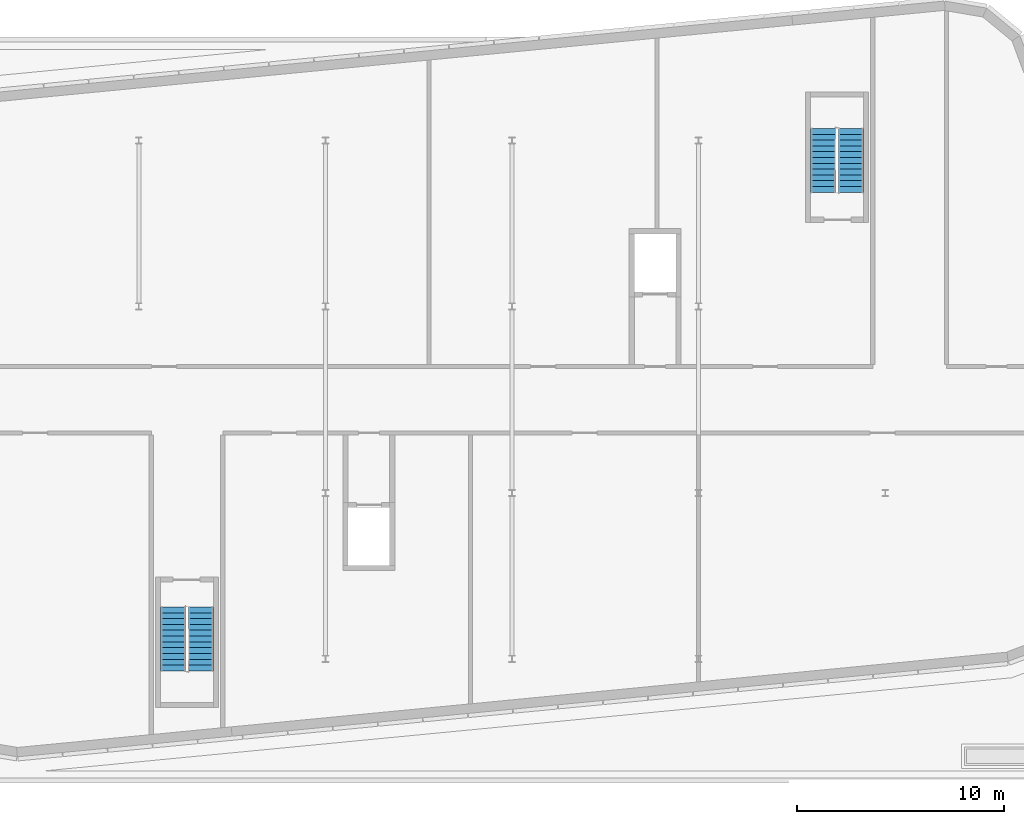
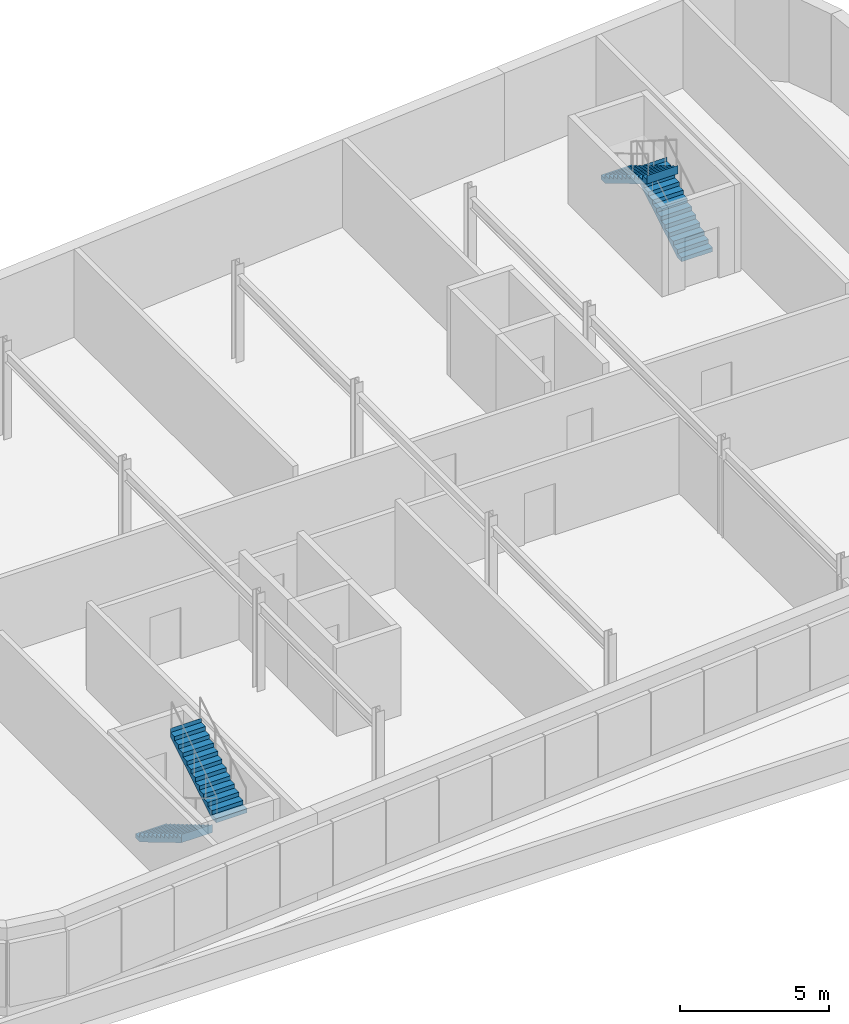
# One storey, part 5 of 7: 4 stair flights, 2 elements without a shape of their own.
"""IFC4 building model written with IfcOpenShell, lengths in metres."""

from ifc_helpers import new_model, si_unit, direction, frame, origin, place, context, subcontext, project, spatial, faceted_brep, material, type_object, element, aggregate, save


model = new_model("IFC4")

# Units and contexts
model_context = context("Model", 3, precision=1e-05, world=origin(), true_north=direction((0.0, 1.0)))
body_context = subcontext(model_context, "Body", "Model", "MODEL_VIEW")
ifc_project = project(units=[si_unit("LENGTHUNIT", "METRE"), si_unit("AREAUNIT", "SQUARE_METRE"), si_unit("VOLUMEUNIT", "CUBIC_METRE"), si_unit("PLANEANGLEUNIT", "RADIAN"), si_unit("MASSUNIT", "GRAM", prefix="KILO")], contexts=[model_context])

# Site, building, storey
site_placement = place(None, origin())
site = spatial("IfcSite", under=ifc_project, at=site_placement, CompositionType="ELEMENT")
building_placement = place(site_placement, origin())
building = spatial("IfcBuilding", under=site, at=building_placement, Name="Kajstack Hotel Tower", CompositionType="ELEMENT")
storey_placement = place(building_placement, frame((0.0, 0.0, 317.800048828125)))
storey = spatial("IfcBuildingStorey", under=building, at=storey_placement, Name="L80", CompositionType="ELEMENT", Elevation=317.800048828125)

# Stair, stair flights
ifc_material = material(Name="Concrete C40/50", Category="concrete")
stair_type = type_object("IfcStairType", Name="Exit stair 1200", PredefinedType="HALF_TURN_STAIR", material=ifc_material)
stair_1_placement = place(storey_placement, origin())
stair_1 = element("IfcStair", 1, at=stair_1_placement, inside=storey, type_object=stair_type, Name="L80 stair W2", PredefinedType="HALF_TURN_STAIR")
stair_flight_type = type_object("IfcStairFlightType", Name="Exit stair flight 1200", PredefinedType="STRAIGHT", material=ifc_material)
stair_flight_1_placement = place(storey_placement, frame((-16.35009765625, -10.0, 0.0), z_axis=(0.0, 0.0, 1.0), x_axis=(0.0, -1.0, 0.0)))
stair_flight_1 = element("IfcStairFlight", 2, at=stair_flight_1_placement, type_object=stair_flight_type, Name="W2 flight 1", NumberOfRisers=12, NumberOfTreads=11, PredefinedType="STRAIGHT", RiserHeight=0.166666667, TreadLength=0.28, context=body_context, shape_type="Brep", body=[
    faceted_brep([(0.29345703125, -0.60009765625, 0.0), (3.08056640625, -0.60009765625, 1.658935546875), (3.08056640625, -0.60009765625, 2.0), (3.080078125, -0.60009765625, 2.0), (3.080078125, -0.60009765625, 1.833251953125), (2.800048828125, -0.60009765625, 1.833251953125), (2.800048828125, -0.60009765625, 1.666748046875), (2.52001953125, -0.60009765625, 1.666748046875), (2.52001953125, -0.60009765625, 1.5), (2.239990234375, -0.60009765625, 1.5), (2.239990234375, -0.60009765625, 1.333251953125), (1.9599609375, -0.60009765625, 1.333251953125), (1.9599609375, -0.60009765625, 1.166748046875), (1.679931640625, -0.60009765625, 1.166748046875), (1.679931640625, -0.60009765625, 1.0), (1.39990234375, -0.60009765625, 1.0), (1.39990234375, -0.60009765625, 0.833251953125), (1.1201171875, -0.60009765625, 0.833251953125), (1.1201171875, -0.60009765625, 0.666748046875), (0.840087890625, -0.60009765625, 0.666748046875), (0.840087890625, -0.60009765625, 0.5), (0.56005859375, -0.60009765625, 0.5), (0.56005859375, -0.60009765625, 0.333251953125), (0.280029296875, -0.60009765625, 0.333251953125), (0.280029296875, -0.60009765625, 0.166748046875), (-0.00048828125, -0.60009765625, 0.166748046875), (-0.00048828125, -0.60009765625, 0.0), (-0.00048828125, 0.60009765625, 0.0), (-0.00048828125, 0.60009765625, 0.166748046875), (0.280029296875, 0.60009765625, 0.166748046875), (0.280029296875, 0.60009765625, 0.333251953125), (0.56005859375, 0.60009765625, 0.333251953125), (0.56005859375, 0.60009765625, 0.5), (0.840087890625, 0.60009765625, 0.5), (0.840087890625, 0.60009765625, 0.666748046875), (1.1201171875, 0.60009765625, 0.666748046875), (1.1201171875, 0.60009765625, 0.833251953125), (1.39990234375, 0.60009765625, 0.833251953125), (1.39990234375, 0.60009765625, 1.0), (1.679931640625, 0.60009765625, 1.0), (1.679931640625, 0.60009765625, 1.166748046875), (1.9599609375, 0.60009765625, 1.166748046875), (1.9599609375, 0.60009765625, 1.333251953125), (2.239990234375, 0.60009765625, 1.333251953125), (2.239990234375, 0.60009765625, 1.5), (2.52001953125, 0.60009765625, 1.5), (2.52001953125, 0.60009765625, 1.666748046875), (2.800048828125, 0.60009765625, 1.666748046875), (2.800048828125, 0.60009765625, 1.833251953125), (3.080078125, 0.60009765625, 1.833251953125), (3.080078125, 0.60009765625, 2.0), (3.08056640625, 0.60009765625, 2.0), (3.08056640625, 0.60009765625, 1.658935546875), (0.29345703125, 0.60009765625, 0.0), (-0.00048828125, -0.300048828125, 0.166748046875), (-0.00048828125, 0.0, 0.166748046875), (-0.00048828125, 0.300048828125, 0.166748046875), (-0.00048828125, 0.300048828125, 0.0), (-0.00048828125, 0.0, 0.0), (-0.00048828125, -0.300048828125, 0.0), (0.280029296875, -0.300048828125, 0.166748046875), (0.280029296875, 0.0, 0.166748046875), (0.280029296875, 0.300048828125, 0.166748046875), (0.280029296875, -0.300048828125, 0.333251953125), (0.280029296875, 0.0, 0.333251953125), (0.280029296875, 0.300048828125, 0.333251953125), (0.56005859375, -0.300048828125, 0.333251953125), (0.56005859375, 0.0, 0.333251953125), (0.56005859375, 0.300048828125, 0.333251953125), (0.56005859375, -0.300048828125, 0.5), (0.56005859375, 0.0, 0.5), (0.56005859375, 0.300048828125, 0.5), (0.840087890625, -0.300048828125, 0.5), (0.840087890625, 0.0, 0.5), (0.840087890625, 0.300048828125, 0.5), (0.840087890625, -0.300048828125, 0.666748046875), (0.840087890625, 0.0, 0.666748046875), (0.840087890625, 0.300048828125, 0.666748046875), (1.1201171875, -0.300048828125, 0.666748046875), (1.1201171875, 0.0, 0.666748046875), (1.1201171875, 0.300048828125, 0.666748046875), (1.1201171875, -0.300048828125, 0.833251953125), (1.1201171875, 0.0, 0.833251953125), (1.1201171875, 0.300048828125, 0.833251953125), (1.39990234375, -0.300048828125, 0.833251953125), (1.39990234375, 0.0, 0.833251953125), (1.39990234375, 0.300048828125, 0.833251953125), (1.39990234375, -0.300048828125, 1.0), (1.39990234375, 0.0, 1.0), (1.39990234375, 0.300048828125, 1.0), (1.679931640625, -0.300048828125, 1.0), (1.679931640625, 0.0, 1.0), (1.679931640625, 0.300048828125, 1.0), (1.679931640625, -0.300048828125, 1.166748046875), (1.679931640625, 0.0, 1.166748046875), (1.679931640625, 0.300048828125, 1.166748046875), (1.9599609375, -0.300048828125, 1.166748046875), (1.9599609375, 0.0, 1.166748046875), (1.9599609375, 0.300048828125, 1.166748046875), (1.9599609375, -0.300048828125, 1.333251953125), (1.9599609375, 0.0, 1.333251953125), (1.9599609375, 0.300048828125, 1.333251953125), (2.239990234375, -0.300048828125, 1.333251953125), (2.239990234375, 0.0, 1.333251953125), (2.239990234375, 0.300048828125, 1.333251953125), (2.239990234375, -0.300048828125, 1.5), (2.239990234375, 0.0, 1.5), (2.239990234375, 0.300048828125, 1.5), (2.52001953125, -0.300048828125, 1.5), (2.52001953125, 0.0, 1.5), (2.52001953125, 0.300048828125, 1.5), (2.52001953125, -0.300048828125, 1.666748046875), (2.52001953125, 0.0, 1.666748046875), (2.52001953125, 0.300048828125, 1.666748046875), (2.800048828125, -0.300048828125, 1.666748046875), (2.800048828125, 0.0, 1.666748046875), (2.800048828125, 0.300048828125, 1.666748046875), (2.800048828125, -0.300048828125, 1.833251953125), (2.800048828125, 0.0, 1.833251953125), (2.800048828125, 0.300048828125, 1.833251953125), (3.080078125, -0.300048828125, 1.833251953125), (3.080078125, 0.0, 1.833251953125), (3.080078125, 0.300048828125, 1.833251953125), (3.080078125, -0.300048828125, 2.0), (3.080078125, 0.0, 2.0), (3.080078125, 0.300048828125, 2.0), (3.08056640625, -0.300048828125, 2.0), (3.08056640625, 0.0, 2.0), (3.08056640625, 0.300048828125, 2.0), (3.08056640625, -0.300048828125, 1.658935546875), (3.08056640625, 0.0, 1.658935546875), (3.08056640625, 0.300048828125, 1.658935546875), (0.29345703125, -0.300048828125, 0.0), (0.29345703125, 0.0, 0.0), (0.29345703125, 0.300048828125, 0.0)], [[[0, 1, 2, 3, 4, 5, 6, 7, 8, 9, 10, 11, 12, 13, 14, 15, 16, 17, 18, 19, 20, 21, 22, 23, 24, 25, 26]], [[27, 28, 29, 30, 31, 32, 33, 34, 35, 36, 37, 38, 39, 40, 41, 42, 43, 44, 45, 46, 47, 48, 49, 50, 51, 52, 53]], [[25, 54, 55, 56, 28, 27, 57, 58, 59, 26]], [[24, 60, 61, 62, 29, 28, 56, 55, 54, 25]], [[23, 63, 64, 65, 30, 29, 62, 61, 60, 24]], [[22, 66, 67, 68, 31, 30, 65, 64, 63, 23]], [[21, 69, 70, 71, 32, 31, 68, 67, 66, 22]], [[20, 72, 73, 74, 33, 32, 71, 70, 69, 21]], [[19, 75, 76, 77, 34, 33, 74, 73, 72, 20]], [[18, 78, 79, 80, 35, 34, 77, 76, 75, 19]], [[17, 81, 82, 83, 36, 35, 80, 79, 78, 18]], [[16, 84, 85, 86, 37, 36, 83, 82, 81, 17]], [[15, 87, 88, 89, 38, 37, 86, 85, 84, 16]], [[14, 90, 91, 92, 39, 38, 89, 88, 87, 15]], [[13, 93, 94, 95, 40, 39, 92, 91, 90, 14]], [[12, 96, 97, 98, 41, 40, 95, 94, 93, 13]], [[11, 99, 100, 101, 42, 41, 98, 97, 96, 12]], [[10, 102, 103, 104, 43, 42, 101, 100, 99, 11]], [[9, 105, 106, 107, 44, 43, 104, 103, 102, 10]], [[8, 108, 109, 110, 45, 44, 107, 106, 105, 9]], [[7, 111, 112, 113, 46, 45, 110, 109, 108, 8]], [[6, 114, 115, 116, 47, 46, 113, 112, 111, 7]], [[5, 117, 118, 119, 48, 47, 116, 115, 114, 6]], [[4, 120, 121, 122, 49, 48, 119, 118, 117, 5]], [[3, 123, 124, 125, 50, 49, 122, 121, 120, 4]], [[2, 126, 127, 128, 51, 50, 125, 124, 123, 3]], [[1, 129, 130, 131, 52, 51, 128, 127, 126, 2]], [[0, 132, 133, 134, 53, 52, 131, 130, 129, 1]], [[26, 59, 58, 57, 27, 53, 134, 133, 132, 0]]]),
])
stair_flight_2_placement = place(storey_placement, frame((-15.0, -13.080078125, 2.0), z_axis=(0.0, 0.0, 1.0), x_axis=(0.0, 1.0, 0.0)))
stair_flight_2 = element("IfcStairFlight", 3, at=stair_flight_2_placement, type_object=stair_flight_type, Name="W2 flight 2", NumberOfRisers=12, NumberOfTreads=11, PredefinedType="STRAIGHT", RiserHeight=0.166666667, TreadLength=0.28, context=body_context, shape_type="Brep", body=[
    faceted_brep([(0.29345703125, -0.60009765625, 0.0), (3.08056640625, -0.60009765625, 1.658935546875), (3.08056640625, -0.60009765625, 2.0), (3.080078125, -0.60009765625, 2.0), (3.080078125, -0.60009765625, 1.833251953125), (2.800048828125, -0.60009765625, 1.833251953125), (2.800048828125, -0.60009765625, 1.666748046875), (2.52001953125, -0.60009765625, 1.666748046875), (2.52001953125, -0.60009765625, 1.5), (2.239990234375, -0.60009765625, 1.5), (2.239990234375, -0.60009765625, 1.333251953125), (1.9599609375, -0.60009765625, 1.333251953125), (1.9599609375, -0.60009765625, 1.166748046875), (1.679931640625, -0.60009765625, 1.166748046875), (1.679931640625, -0.60009765625, 1.0), (1.39990234375, -0.60009765625, 1.0), (1.39990234375, -0.60009765625, 0.833251953125), (1.1201171875, -0.60009765625, 0.833251953125), (1.1201171875, -0.60009765625, 0.666748046875), (0.840087890625, -0.60009765625, 0.666748046875), (0.840087890625, -0.60009765625, 0.5), (0.56005859375, -0.60009765625, 0.5), (0.56005859375, -0.60009765625, 0.333251953125), (0.280029296875, -0.60009765625, 0.333251953125), (0.280029296875, -0.60009765625, 0.166748046875), (-0.00048828125, -0.60009765625, 0.166748046875), (-0.00048828125, -0.60009765625, 0.0), (-0.00048828125, 0.60009765625, 0.0), (-0.00048828125, 0.60009765625, 0.166748046875), (0.280029296875, 0.60009765625, 0.166748046875), (0.280029296875, 0.60009765625, 0.333251953125), (0.56005859375, 0.60009765625, 0.333251953125), (0.56005859375, 0.60009765625, 0.5), (0.840087890625, 0.60009765625, 0.5), (0.840087890625, 0.60009765625, 0.666748046875), (1.1201171875, 0.60009765625, 0.666748046875), (1.1201171875, 0.60009765625, 0.833251953125), (1.39990234375, 0.60009765625, 0.833251953125), (1.39990234375, 0.60009765625, 1.0), (1.679931640625, 0.60009765625, 1.0), (1.679931640625, 0.60009765625, 1.166748046875), (1.9599609375, 0.60009765625, 1.166748046875), (1.9599609375, 0.60009765625, 1.333251953125), (2.239990234375, 0.60009765625, 1.333251953125), (2.239990234375, 0.60009765625, 1.5), (2.52001953125, 0.60009765625, 1.5), (2.52001953125, 0.60009765625, 1.666748046875), (2.800048828125, 0.60009765625, 1.666748046875), (2.800048828125, 0.60009765625, 1.833251953125), (3.080078125, 0.60009765625, 1.833251953125), (3.080078125, 0.60009765625, 2.0), (3.08056640625, 0.60009765625, 2.0), (3.08056640625, 0.60009765625, 1.658935546875), (0.29345703125, 0.60009765625, 0.0), (-0.00048828125, -0.300048828125, 0.166748046875), (-0.00048828125, 0.0, 0.166748046875), (-0.00048828125, 0.300048828125, 0.166748046875), (-0.00048828125, 0.300048828125, 0.0), (-0.00048828125, 0.0, 0.0), (-0.00048828125, -0.300048828125, 0.0), (0.280029296875, -0.300048828125, 0.166748046875), (0.280029296875, 0.0, 0.166748046875), (0.280029296875, 0.300048828125, 0.166748046875), (0.280029296875, -0.300048828125, 0.333251953125), (0.280029296875, 0.0, 0.333251953125), (0.280029296875, 0.300048828125, 0.333251953125), (0.56005859375, -0.300048828125, 0.333251953125), (0.56005859375, 0.0, 0.333251953125), (0.56005859375, 0.300048828125, 0.333251953125), (0.56005859375, -0.300048828125, 0.5), (0.56005859375, 0.0, 0.5), (0.56005859375, 0.300048828125, 0.5), (0.840087890625, -0.300048828125, 0.5), (0.840087890625, 0.0, 0.5), (0.840087890625, 0.300048828125, 0.5), (0.840087890625, -0.300048828125, 0.666748046875), (0.840087890625, 0.0, 0.666748046875), (0.840087890625, 0.300048828125, 0.666748046875), (1.1201171875, -0.300048828125, 0.666748046875), (1.1201171875, 0.0, 0.666748046875), (1.1201171875, 0.300048828125, 0.666748046875), (1.1201171875, -0.300048828125, 0.833251953125), (1.1201171875, 0.0, 0.833251953125), (1.1201171875, 0.300048828125, 0.833251953125), (1.39990234375, -0.300048828125, 0.833251953125), (1.39990234375, 0.0, 0.833251953125), (1.39990234375, 0.300048828125, 0.833251953125), (1.39990234375, -0.300048828125, 1.0), (1.39990234375, 0.0, 1.0), (1.39990234375, 0.300048828125, 1.0), (1.679931640625, -0.300048828125, 1.0), (1.679931640625, 0.0, 1.0), (1.679931640625, 0.300048828125, 1.0), (1.679931640625, -0.300048828125, 1.166748046875), (1.679931640625, 0.0, 1.166748046875), (1.679931640625, 0.300048828125, 1.166748046875), (1.9599609375, -0.300048828125, 1.166748046875), (1.9599609375, 0.0, 1.166748046875), (1.9599609375, 0.300048828125, 1.166748046875), (1.9599609375, -0.300048828125, 1.333251953125), (1.9599609375, 0.0, 1.333251953125), (1.9599609375, 0.300048828125, 1.333251953125), (2.239990234375, -0.300048828125, 1.333251953125), (2.239990234375, 0.0, 1.333251953125), (2.239990234375, 0.300048828125, 1.333251953125), (2.239990234375, -0.300048828125, 1.5), (2.239990234375, 0.0, 1.5), (2.239990234375, 0.300048828125, 1.5), (2.52001953125, -0.300048828125, 1.5), (2.52001953125, 0.0, 1.5), (2.52001953125, 0.300048828125, 1.5), (2.52001953125, -0.300048828125, 1.666748046875), (2.52001953125, 0.0, 1.666748046875), (2.52001953125, 0.300048828125, 1.666748046875), (2.800048828125, -0.300048828125, 1.666748046875), (2.800048828125, 0.0, 1.666748046875), (2.800048828125, 0.300048828125, 1.666748046875), (2.800048828125, -0.300048828125, 1.833251953125), (2.800048828125, 0.0, 1.833251953125), (2.800048828125, 0.300048828125, 1.833251953125), (3.080078125, -0.300048828125, 1.833251953125), (3.080078125, 0.0, 1.833251953125), (3.080078125, 0.300048828125, 1.833251953125), (3.080078125, -0.300048828125, 2.0), (3.080078125, 0.0, 2.0), (3.080078125, 0.300048828125, 2.0), (3.08056640625, -0.300048828125, 2.0), (3.08056640625, 0.0, 2.0), (3.08056640625, 0.300048828125, 2.0), (3.08056640625, -0.300048828125, 1.658935546875), (3.08056640625, 0.0, 1.658935546875), (3.08056640625, 0.300048828125, 1.658935546875), (0.29345703125, -0.300048828125, 0.0), (0.29345703125, 0.0, 0.0), (0.29345703125, 0.300048828125, 0.0)], [[[0, 1, 2, 3, 4, 5, 6, 7, 8, 9, 10, 11, 12, 13, 14, 15, 16, 17, 18, 19, 20, 21, 22, 23, 24, 25, 26]], [[27, 28, 29, 30, 31, 32, 33, 34, 35, 36, 37, 38, 39, 40, 41, 42, 43, 44, 45, 46, 47, 48, 49, 50, 51, 52, 53]], [[25, 54, 55, 56, 28, 27, 57, 58, 59, 26]], [[24, 60, 61, 62, 29, 28, 56, 55, 54, 25]], [[23, 63, 64, 65, 30, 29, 62, 61, 60, 24]], [[22, 66, 67, 68, 31, 30, 65, 64, 63, 23]], [[21, 69, 70, 71, 32, 31, 68, 67, 66, 22]], [[20, 72, 73, 74, 33, 32, 71, 70, 69, 21]], [[19, 75, 76, 77, 34, 33, 74, 73, 72, 20]], [[18, 78, 79, 80, 35, 34, 77, 76, 75, 19]], [[17, 81, 82, 83, 36, 35, 80, 79, 78, 18]], [[16, 84, 85, 86, 37, 36, 83, 82, 81, 17]], [[15, 87, 88, 89, 38, 37, 86, 85, 84, 16]], [[14, 90, 91, 92, 39, 38, 89, 88, 87, 15]], [[13, 93, 94, 95, 40, 39, 92, 91, 90, 14]], [[12, 96, 97, 98, 41, 40, 95, 94, 93, 13]], [[11, 99, 100, 101, 42, 41, 98, 97, 96, 12]], [[10, 102, 103, 104, 43, 42, 101, 100, 99, 11]], [[9, 105, 106, 107, 44, 43, 104, 103, 102, 10]], [[8, 108, 109, 110, 45, 44, 107, 106, 105, 9]], [[7, 111, 112, 113, 46, 45, 110, 109, 108, 8]], [[6, 114, 115, 116, 47, 46, 113, 112, 111, 7]], [[5, 117, 118, 119, 48, 47, 116, 115, 114, 6]], [[4, 120, 121, 122, 49, 48, 119, 118, 117, 5]], [[3, 123, 124, 125, 50, 49, 122, 121, 120, 4]], [[2, 126, 127, 128, 51, 50, 125, 124, 123, 3]], [[1, 129, 130, 131, 52, 51, 128, 127, 126, 2]], [[0, 132, 133, 134, 53, 52, 131, 130, 129, 1]], [[26, 59, 58, 57, 27, 53, 134, 133, 132, 0]]]),
])
aggregate(stair_1, [stair_flight_1, stair_flight_2])

stair_2_placement = place(storey_placement, origin())
stair_2 = element("IfcStair", 4, at=stair_2_placement, inside=storey, type_object=stair_type, Name="L80 stair E2", PredefinedType="HALF_TURN_STAIR")
stair_flight_3_placement = place(storey_placement, frame((16.35009765625, 10.0, 0.0), z_axis=(0.0, 0.0, 1.0), x_axis=(0.0, 1.0, 0.0)))
stair_flight_3 = element("IfcStairFlight", 5, at=stair_flight_3_placement, type_object=stair_flight_type, Name="E2 flight 1", NumberOfRisers=12, NumberOfTreads=11, PredefinedType="STRAIGHT", RiserHeight=0.166666667, TreadLength=0.28, context=body_context, shape_type="Brep", body=[
    faceted_brep([(0.29345703125, -0.60009765625, 0.0), (3.08056640625, -0.60009765625, 1.658935546875), (3.08056640625, -0.60009765625, 2.0), (3.080078125, -0.60009765625, 2.0), (3.080078125, -0.60009765625, 1.833251953125), (2.800048828125, -0.60009765625, 1.833251953125), (2.800048828125, -0.60009765625, 1.666748046875), (2.52001953125, -0.60009765625, 1.666748046875), (2.52001953125, -0.60009765625, 1.5), (2.239990234375, -0.60009765625, 1.5), (2.239990234375, -0.60009765625, 1.333251953125), (1.9599609375, -0.60009765625, 1.333251953125), (1.9599609375, -0.60009765625, 1.166748046875), (1.679931640625, -0.60009765625, 1.166748046875), (1.679931640625, -0.60009765625, 1.0), (1.39990234375, -0.60009765625, 1.0), (1.39990234375, -0.60009765625, 0.833251953125), (1.1201171875, -0.60009765625, 0.833251953125), (1.1201171875, -0.60009765625, 0.666748046875), (0.840087890625, -0.60009765625, 0.666748046875), (0.840087890625, -0.60009765625, 0.5), (0.56005859375, -0.60009765625, 0.5), (0.56005859375, -0.60009765625, 0.333251953125), (0.280029296875, -0.60009765625, 0.333251953125), (0.280029296875, -0.60009765625, 0.166748046875), (-0.00048828125, -0.60009765625, 0.166748046875), (-0.00048828125, -0.60009765625, 0.0), (-0.00048828125, 0.60009765625, 0.0), (-0.00048828125, 0.60009765625, 0.166748046875), (0.280029296875, 0.60009765625, 0.166748046875), (0.280029296875, 0.60009765625, 0.333251953125), (0.56005859375, 0.60009765625, 0.333251953125), (0.56005859375, 0.60009765625, 0.5), (0.840087890625, 0.60009765625, 0.5), (0.840087890625, 0.60009765625, 0.666748046875), (1.1201171875, 0.60009765625, 0.666748046875), (1.1201171875, 0.60009765625, 0.833251953125), (1.39990234375, 0.60009765625, 0.833251953125), (1.39990234375, 0.60009765625, 1.0), (1.679931640625, 0.60009765625, 1.0), (1.679931640625, 0.60009765625, 1.166748046875), (1.9599609375, 0.60009765625, 1.166748046875), (1.9599609375, 0.60009765625, 1.333251953125), (2.239990234375, 0.60009765625, 1.333251953125), (2.239990234375, 0.60009765625, 1.5), (2.52001953125, 0.60009765625, 1.5), (2.52001953125, 0.60009765625, 1.666748046875), (2.800048828125, 0.60009765625, 1.666748046875), (2.800048828125, 0.60009765625, 1.833251953125), (3.080078125, 0.60009765625, 1.833251953125), (3.080078125, 0.60009765625, 2.0), (3.08056640625, 0.60009765625, 2.0), (3.08056640625, 0.60009765625, 1.658935546875), (0.29345703125, 0.60009765625, 0.0), (-0.00048828125, -0.300048828125, 0.166748046875), (-0.00048828125, 0.0, 0.166748046875), (-0.00048828125, 0.300048828125, 0.166748046875), (-0.00048828125, 0.300048828125, 0.0), (-0.00048828125, 0.0, 0.0), (-0.00048828125, -0.300048828125, 0.0), (0.280029296875, -0.300048828125, 0.166748046875), (0.280029296875, 0.0, 0.166748046875), (0.280029296875, 0.300048828125, 0.166748046875), (0.280029296875, -0.300048828125, 0.333251953125), (0.280029296875, 0.0, 0.333251953125), (0.280029296875, 0.300048828125, 0.333251953125), (0.56005859375, -0.300048828125, 0.333251953125), (0.56005859375, 0.0, 0.333251953125), (0.56005859375, 0.300048828125, 0.333251953125), (0.56005859375, -0.300048828125, 0.5), (0.56005859375, 0.0, 0.5), (0.56005859375, 0.300048828125, 0.5), (0.840087890625, -0.300048828125, 0.5), (0.840087890625, 0.0, 0.5), (0.840087890625, 0.300048828125, 0.5), (0.840087890625, -0.300048828125, 0.666748046875), (0.840087890625, 0.0, 0.666748046875), (0.840087890625, 0.300048828125, 0.666748046875), (1.1201171875, -0.300048828125, 0.666748046875), (1.1201171875, 0.0, 0.666748046875), (1.1201171875, 0.300048828125, 0.666748046875), (1.1201171875, -0.300048828125, 0.833251953125), (1.1201171875, 0.0, 0.833251953125), (1.1201171875, 0.300048828125, 0.833251953125), (1.39990234375, -0.300048828125, 0.833251953125), (1.39990234375, 0.0, 0.833251953125), (1.39990234375, 0.300048828125, 0.833251953125), (1.39990234375, -0.300048828125, 1.0), (1.39990234375, 0.0, 1.0), (1.39990234375, 0.300048828125, 1.0), (1.679931640625, -0.300048828125, 1.0), (1.679931640625, 0.0, 1.0), (1.679931640625, 0.300048828125, 1.0), (1.679931640625, -0.300048828125, 1.166748046875), (1.679931640625, 0.0, 1.166748046875), (1.679931640625, 0.300048828125, 1.166748046875), (1.9599609375, -0.300048828125, 1.166748046875), (1.9599609375, 0.0, 1.166748046875), (1.9599609375, 0.300048828125, 1.166748046875), (1.9599609375, -0.300048828125, 1.333251953125), (1.9599609375, 0.0, 1.333251953125), (1.9599609375, 0.300048828125, 1.333251953125), (2.239990234375, -0.300048828125, 1.333251953125), (2.239990234375, 0.0, 1.333251953125), (2.239990234375, 0.300048828125, 1.333251953125), (2.239990234375, -0.300048828125, 1.5), (2.239990234375, 0.0, 1.5), (2.239990234375, 0.300048828125, 1.5), (2.52001953125, -0.300048828125, 1.5), (2.52001953125, 0.0, 1.5), (2.52001953125, 0.300048828125, 1.5), (2.52001953125, -0.300048828125, 1.666748046875), (2.52001953125, 0.0, 1.666748046875), (2.52001953125, 0.300048828125, 1.666748046875), (2.800048828125, -0.300048828125, 1.666748046875), (2.800048828125, 0.0, 1.666748046875), (2.800048828125, 0.300048828125, 1.666748046875), (2.800048828125, -0.300048828125, 1.833251953125), (2.800048828125, 0.0, 1.833251953125), (2.800048828125, 0.300048828125, 1.833251953125), (3.080078125, -0.300048828125, 1.833251953125), (3.080078125, 0.0, 1.833251953125), (3.080078125, 0.300048828125, 1.833251953125), (3.080078125, -0.300048828125, 2.0), (3.080078125, 0.0, 2.0), (3.080078125, 0.300048828125, 2.0), (3.08056640625, -0.300048828125, 2.0), (3.08056640625, 0.0, 2.0), (3.08056640625, 0.300048828125, 2.0), (3.08056640625, -0.300048828125, 1.658935546875), (3.08056640625, 0.0, 1.658935546875), (3.08056640625, 0.300048828125, 1.658935546875), (0.29345703125, -0.300048828125, 0.0), (0.29345703125, 0.0, 0.0), (0.29345703125, 0.300048828125, 0.0)], [[[0, 1, 2, 3, 4, 5, 6, 7, 8, 9, 10, 11, 12, 13, 14, 15, 16, 17, 18, 19, 20, 21, 22, 23, 24, 25, 26]], [[27, 28, 29, 30, 31, 32, 33, 34, 35, 36, 37, 38, 39, 40, 41, 42, 43, 44, 45, 46, 47, 48, 49, 50, 51, 52, 53]], [[25, 54, 55, 56, 28, 27, 57, 58, 59, 26]], [[24, 60, 61, 62, 29, 28, 56, 55, 54, 25]], [[23, 63, 64, 65, 30, 29, 62, 61, 60, 24]], [[22, 66, 67, 68, 31, 30, 65, 64, 63, 23]], [[21, 69, 70, 71, 32, 31, 68, 67, 66, 22]], [[20, 72, 73, 74, 33, 32, 71, 70, 69, 21]], [[19, 75, 76, 77, 34, 33, 74, 73, 72, 20]], [[18, 78, 79, 80, 35, 34, 77, 76, 75, 19]], [[17, 81, 82, 83, 36, 35, 80, 79, 78, 18]], [[16, 84, 85, 86, 37, 36, 83, 82, 81, 17]], [[15, 87, 88, 89, 38, 37, 86, 85, 84, 16]], [[14, 90, 91, 92, 39, 38, 89, 88, 87, 15]], [[13, 93, 94, 95, 40, 39, 92, 91, 90, 14]], [[12, 96, 97, 98, 41, 40, 95, 94, 93, 13]], [[11, 99, 100, 101, 42, 41, 98, 97, 96, 12]], [[10, 102, 103, 104, 43, 42, 101, 100, 99, 11]], [[9, 105, 106, 107, 44, 43, 104, 103, 102, 10]], [[8, 108, 109, 110, 45, 44, 107, 106, 105, 9]], [[7, 111, 112, 113, 46, 45, 110, 109, 108, 8]], [[6, 114, 115, 116, 47, 46, 113, 112, 111, 7]], [[5, 117, 118, 119, 48, 47, 116, 115, 114, 6]], [[4, 120, 121, 122, 49, 48, 119, 118, 117, 5]], [[3, 123, 124, 125, 50, 49, 122, 121, 120, 4]], [[2, 126, 127, 128, 51, 50, 125, 124, 123, 3]], [[1, 129, 130, 131, 52, 51, 128, 127, 126, 2]], [[0, 132, 133, 134, 53, 52, 131, 130, 129, 1]], [[26, 59, 58, 57, 27, 53, 134, 133, 132, 0]]]),
])
stair_flight_4_placement = place(storey_placement, frame((15.0, 13.080078125, 2.0), z_axis=(0.0, 0.0, 1.0), x_axis=(0.0, -1.0, 0.0)))
stair_flight_4 = element("IfcStairFlight", 6, at=stair_flight_4_placement, type_object=stair_flight_type, Name="E2 flight 2", NumberOfRisers=12, NumberOfTreads=11, PredefinedType="STRAIGHT", RiserHeight=0.166666667, TreadLength=0.28, context=body_context, shape_type="Brep", body=[
    faceted_brep([(0.29345703125, -0.60009765625, 0.0), (3.08056640625, -0.60009765625, 1.658935546875), (3.08056640625, -0.60009765625, 2.0), (3.080078125, -0.60009765625, 2.0), (3.080078125, -0.60009765625, 1.833251953125), (2.800048828125, -0.60009765625, 1.833251953125), (2.800048828125, -0.60009765625, 1.666748046875), (2.52001953125, -0.60009765625, 1.666748046875), (2.52001953125, -0.60009765625, 1.5), (2.239990234375, -0.60009765625, 1.5), (2.239990234375, -0.60009765625, 1.333251953125), (1.9599609375, -0.60009765625, 1.333251953125), (1.9599609375, -0.60009765625, 1.166748046875), (1.679931640625, -0.60009765625, 1.166748046875), (1.679931640625, -0.60009765625, 1.0), (1.39990234375, -0.60009765625, 1.0), (1.39990234375, -0.60009765625, 0.833251953125), (1.1201171875, -0.60009765625, 0.833251953125), (1.1201171875, -0.60009765625, 0.666748046875), (0.840087890625, -0.60009765625, 0.666748046875), (0.840087890625, -0.60009765625, 0.5), (0.56005859375, -0.60009765625, 0.5), (0.56005859375, -0.60009765625, 0.333251953125), (0.280029296875, -0.60009765625, 0.333251953125), (0.280029296875, -0.60009765625, 0.166748046875), (-0.00048828125, -0.60009765625, 0.166748046875), (-0.00048828125, -0.60009765625, 0.0), (-0.00048828125, 0.60009765625, 0.0), (-0.00048828125, 0.60009765625, 0.166748046875), (0.280029296875, 0.60009765625, 0.166748046875), (0.280029296875, 0.60009765625, 0.333251953125), (0.56005859375, 0.60009765625, 0.333251953125), (0.56005859375, 0.60009765625, 0.5), (0.840087890625, 0.60009765625, 0.5), (0.840087890625, 0.60009765625, 0.666748046875), (1.1201171875, 0.60009765625, 0.666748046875), (1.1201171875, 0.60009765625, 0.833251953125), (1.39990234375, 0.60009765625, 0.833251953125), (1.39990234375, 0.60009765625, 1.0), (1.679931640625, 0.60009765625, 1.0), (1.679931640625, 0.60009765625, 1.166748046875), (1.9599609375, 0.60009765625, 1.166748046875), (1.9599609375, 0.60009765625, 1.333251953125), (2.239990234375, 0.60009765625, 1.333251953125), (2.239990234375, 0.60009765625, 1.5), (2.52001953125, 0.60009765625, 1.5), (2.52001953125, 0.60009765625, 1.666748046875), (2.800048828125, 0.60009765625, 1.666748046875), (2.800048828125, 0.60009765625, 1.833251953125), (3.080078125, 0.60009765625, 1.833251953125), (3.080078125, 0.60009765625, 2.0), (3.08056640625, 0.60009765625, 2.0), (3.08056640625, 0.60009765625, 1.658935546875), (0.29345703125, 0.60009765625, 0.0), (-0.00048828125, -0.300048828125, 0.166748046875), (-0.00048828125, 0.0, 0.166748046875), (-0.00048828125, 0.300048828125, 0.166748046875), (-0.00048828125, 0.300048828125, 0.0), (-0.00048828125, 0.0, 0.0), (-0.00048828125, -0.300048828125, 0.0), (0.280029296875, -0.300048828125, 0.166748046875), (0.280029296875, 0.0, 0.166748046875), (0.280029296875, 0.300048828125, 0.166748046875), (0.280029296875, -0.300048828125, 0.333251953125), (0.280029296875, 0.0, 0.333251953125), (0.280029296875, 0.300048828125, 0.333251953125), (0.56005859375, -0.300048828125, 0.333251953125), (0.56005859375, 0.0, 0.333251953125), (0.56005859375, 0.300048828125, 0.333251953125), (0.56005859375, -0.300048828125, 0.5), (0.56005859375, 0.0, 0.5), (0.56005859375, 0.300048828125, 0.5), (0.840087890625, -0.300048828125, 0.5), (0.840087890625, 0.0, 0.5), (0.840087890625, 0.300048828125, 0.5), (0.840087890625, -0.300048828125, 0.666748046875), (0.840087890625, 0.0, 0.666748046875), (0.840087890625, 0.300048828125, 0.666748046875), (1.1201171875, -0.300048828125, 0.666748046875), (1.1201171875, 0.0, 0.666748046875), (1.1201171875, 0.300048828125, 0.666748046875), (1.1201171875, -0.300048828125, 0.833251953125), (1.1201171875, 0.0, 0.833251953125), (1.1201171875, 0.300048828125, 0.833251953125), (1.39990234375, -0.300048828125, 0.833251953125), (1.39990234375, 0.0, 0.833251953125), (1.39990234375, 0.300048828125, 0.833251953125), (1.39990234375, -0.300048828125, 1.0), (1.39990234375, 0.0, 1.0), (1.39990234375, 0.300048828125, 1.0), (1.679931640625, -0.300048828125, 1.0), (1.679931640625, 0.0, 1.0), (1.679931640625, 0.300048828125, 1.0), (1.679931640625, -0.300048828125, 1.166748046875), (1.679931640625, 0.0, 1.166748046875), (1.679931640625, 0.300048828125, 1.166748046875), (1.9599609375, -0.300048828125, 1.166748046875), (1.9599609375, 0.0, 1.166748046875), (1.9599609375, 0.300048828125, 1.166748046875), (1.9599609375, -0.300048828125, 1.333251953125), (1.9599609375, 0.0, 1.333251953125), (1.9599609375, 0.300048828125, 1.333251953125), (2.239990234375, -0.300048828125, 1.333251953125), (2.239990234375, 0.0, 1.333251953125), (2.239990234375, 0.300048828125, 1.333251953125), (2.239990234375, -0.300048828125, 1.5), (2.239990234375, 0.0, 1.5), (2.239990234375, 0.300048828125, 1.5), (2.52001953125, -0.300048828125, 1.5), (2.52001953125, 0.0, 1.5), (2.52001953125, 0.300048828125, 1.5), (2.52001953125, -0.300048828125, 1.666748046875), (2.52001953125, 0.0, 1.666748046875), (2.52001953125, 0.300048828125, 1.666748046875), (2.800048828125, -0.300048828125, 1.666748046875), (2.800048828125, 0.0, 1.666748046875), (2.800048828125, 0.300048828125, 1.666748046875), (2.800048828125, -0.300048828125, 1.833251953125), (2.800048828125, 0.0, 1.833251953125), (2.800048828125, 0.300048828125, 1.833251953125), (3.080078125, -0.300048828125, 1.833251953125), (3.080078125, 0.0, 1.833251953125), (3.080078125, 0.300048828125, 1.833251953125), (3.080078125, -0.300048828125, 2.0), (3.080078125, 0.0, 2.0), (3.080078125, 0.300048828125, 2.0), (3.08056640625, -0.300048828125, 2.0), (3.08056640625, 0.0, 2.0), (3.08056640625, 0.300048828125, 2.0), (3.08056640625, -0.300048828125, 1.658935546875), (3.08056640625, 0.0, 1.658935546875), (3.08056640625, 0.300048828125, 1.658935546875), (0.29345703125, -0.300048828125, 0.0), (0.29345703125, 0.0, 0.0), (0.29345703125, 0.300048828125, 0.0)], [[[0, 1, 2, 3, 4, 5, 6, 7, 8, 9, 10, 11, 12, 13, 14, 15, 16, 17, 18, 19, 20, 21, 22, 23, 24, 25, 26]], [[27, 28, 29, 30, 31, 32, 33, 34, 35, 36, 37, 38, 39, 40, 41, 42, 43, 44, 45, 46, 47, 48, 49, 50, 51, 52, 53]], [[25, 54, 55, 56, 28, 27, 57, 58, 59, 26]], [[24, 60, 61, 62, 29, 28, 56, 55, 54, 25]], [[23, 63, 64, 65, 30, 29, 62, 61, 60, 24]], [[22, 66, 67, 68, 31, 30, 65, 64, 63, 23]], [[21, 69, 70, 71, 32, 31, 68, 67, 66, 22]], [[20, 72, 73, 74, 33, 32, 71, 70, 69, 21]], [[19, 75, 76, 77, 34, 33, 74, 73, 72, 20]], [[18, 78, 79, 80, 35, 34, 77, 76, 75, 19]], [[17, 81, 82, 83, 36, 35, 80, 79, 78, 18]], [[16, 84, 85, 86, 37, 36, 83, 82, 81, 17]], [[15, 87, 88, 89, 38, 37, 86, 85, 84, 16]], [[14, 90, 91, 92, 39, 38, 89, 88, 87, 15]], [[13, 93, 94, 95, 40, 39, 92, 91, 90, 14]], [[12, 96, 97, 98, 41, 40, 95, 94, 93, 13]], [[11, 99, 100, 101, 42, 41, 98, 97, 96, 12]], [[10, 102, 103, 104, 43, 42, 101, 100, 99, 11]], [[9, 105, 106, 107, 44, 43, 104, 103, 102, 10]], [[8, 108, 109, 110, 45, 44, 107, 106, 105, 9]], [[7, 111, 112, 113, 46, 45, 110, 109, 108, 8]], [[6, 114, 115, 116, 47, 46, 113, 112, 111, 7]], [[5, 117, 118, 119, 48, 47, 116, 115, 114, 6]], [[4, 120, 121, 122, 49, 48, 119, 118, 117, 5]], [[3, 123, 124, 125, 50, 49, 122, 121, 120, 4]], [[2, 126, 127, 128, 51, 50, 125, 124, 123, 3]], [[1, 129, 130, 131, 52, 51, 128, 127, 126, 2]], [[0, 132, 133, 134, 53, 52, 131, 130, 129, 1]], [[26, 59, 58, 57, 27, 53, 134, 133, 132, 0]]]),
])
aggregate(stair_2, [stair_flight_3, stair_flight_4])

save(model, "model.ifc")
